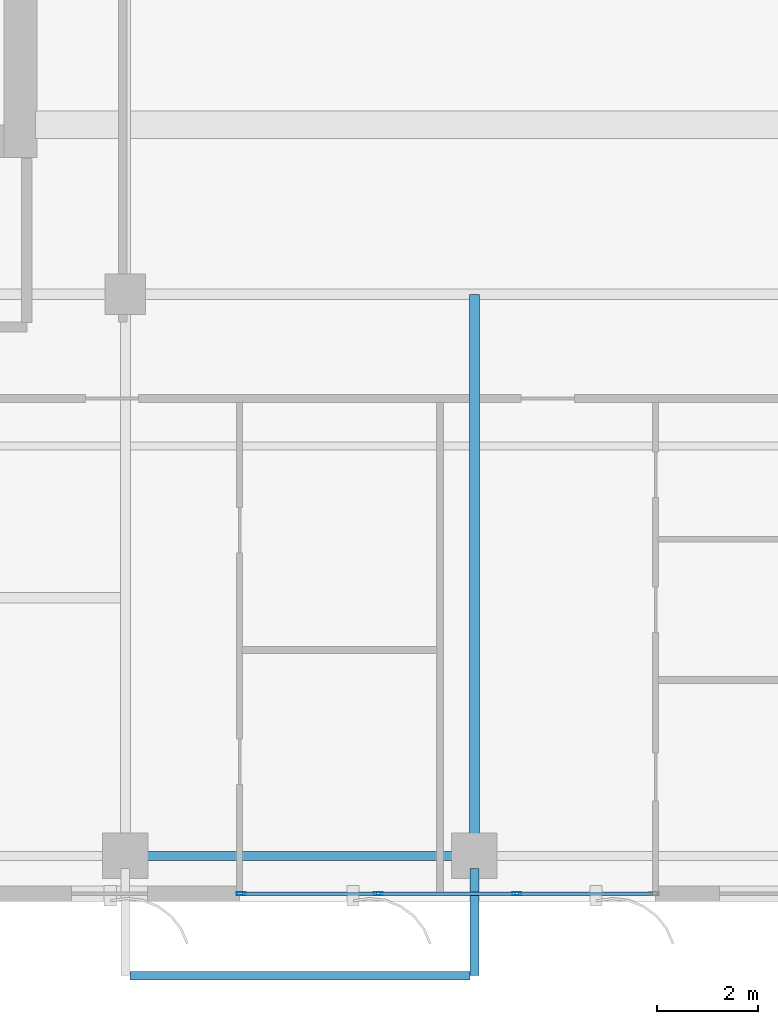
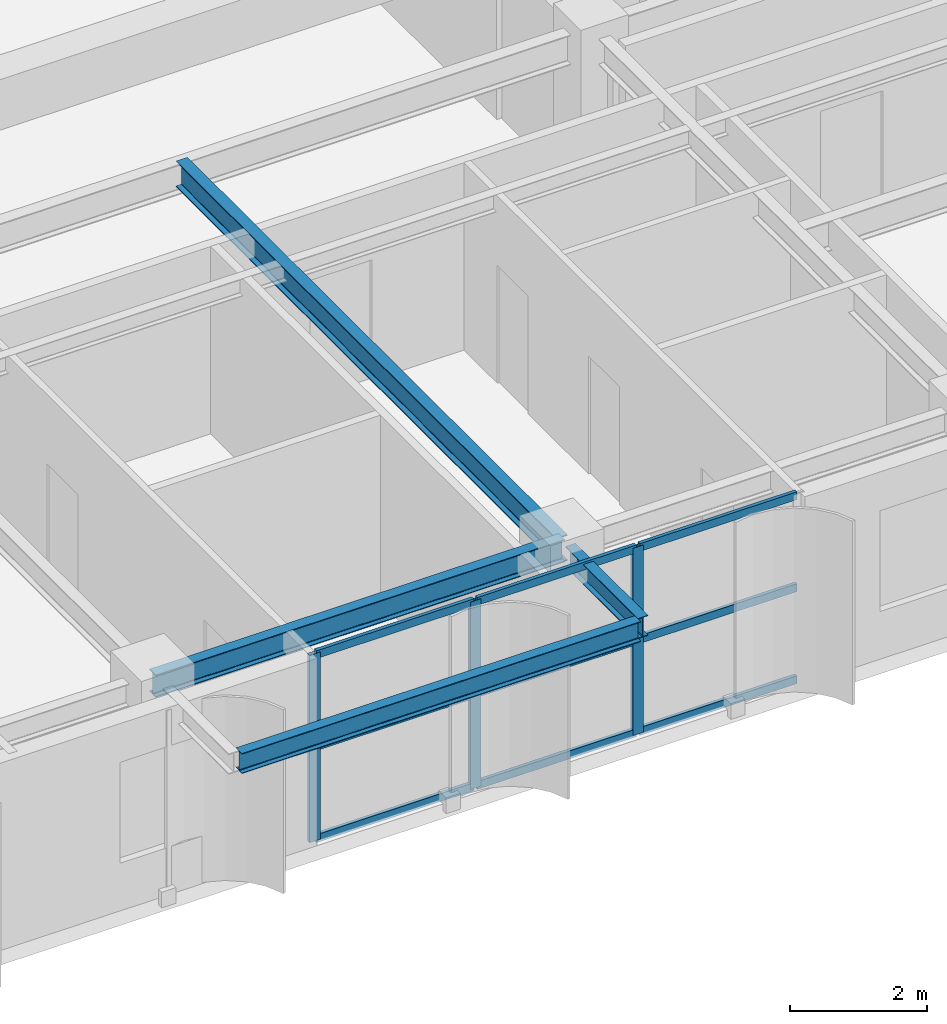
# One storey, part 2 of 21: 12 members, 4 beams, 1 element without a shape of its own.
"""IFC4 building model written with IfcOpenShell, lengths in metres."""

import ifcopenshell
import ifcopenshell.guid

model = None  # the IFC model being written
_history = None  # IfcOwnerHistory: only IFC2X3 demands one
_inside = {}  # id of a spatial element -> (the spatial element, [elements in it])
_under = {}  # id of a project, library or spatial element -> (it, [spatial elements below it])
_declared = {}  # id of a project -> (the project, [libraries it declares])
_typed = {}  # id of a type object -> (the type object, [elements of that type])
_made_of = {}  # id of a material, layer set ... -> (it, [elements and type objects made of it])


def new_model(schema):
    """Start an empty IFC model of exactly this schema.

    Asked for "IFC4X3", IfcOpenShell would pick the latest addendum, in which some entities
    have other attributes; the version numbers below select the first issue.
    IFC2X3 requires an IfcOwnerHistory on every rooted entity: one is made here for all.
    """
    global model, _history
    if schema == "IFC4X3":
        model = ifcopenshell.file(schema_version=(4, 3, 0, 0))
    else:
        model = ifcopenshell.file(schema=schema)
    _inside.clear()
    _under.clear()
    _declared.clear()
    _typed.clear()
    _made_of.clear()
    _history = None
    if model.schema == "IFC2X3":
        org = make("IfcOrganization", Name="unknown")
        user = make(
            "IfcPersonAndOrganization",
            ThePerson=make("IfcPerson", FamilyName="unknown"),
            TheOrganization=org,
        )
        app = make(
            "IfcApplication",
            ApplicationDeveloper=org,
            Version="unknown",
            ApplicationFullName="unknown",
            ApplicationIdentifier="unknown",
        )
        _history = make(
            "IfcOwnerHistory",
            OwningUser=user,
            OwningApplication=app,
            ChangeAction="ADDED",
            CreationDate=0,
        )
    return model


def make(cls, **values):
    """One entity of the class cls with the attributes given. An attribute that is None is left unset."""
    return model.create_entity(
        cls, **{name: value for name, value in values.items() if value is not None}
    )


def rooted(cls, **values):
    """An entity with a GlobalId (a new one), such as an element, a storey or a relation."""
    return make(cls, GlobalId=ifcopenshell.guid.new(), OwnerHistory=_history, **values)


def si_unit(unit_type, name, prefix=None):
    """IfcSIUnit, for example si_unit("LENGTHUNIT", "METRE", prefix="MILLI")."""
    return make("IfcSIUnit", UnitType=unit_type, Prefix=prefix, Name=name)


def assignment(units):
    """IfcUnitAssignment: the units of a project."""
    return None if units is None else make("IfcUnitAssignment", Units=units)


def point(xyz):
    """IfcCartesianPoint."""
    return None if xyz is None else make("IfcCartesianPoint", Coordinates=xyz)


def direction(xyz):
    """IfcDirection."""
    return None if xyz is None else make("IfcDirection", DirectionRatios=xyz)


def frame(location, z_axis=None, x_axis=None):
    """IfcAxis2Placement3D, a coordinate frame: its origin and axes. An axis left out is left unset."""
    return make(
        "IfcAxis2Placement3D",
        Location=point(location),
        Axis=direction(z_axis),
        RefDirection=direction(x_axis),
    )


def frame_2d(location, x_axis=None):
    """IfcAxis2Placement2D, a coordinate frame in the plane: its origin and x axis."""
    return make(
        "IfcAxis2Placement2D", Location=point(location), RefDirection=direction(x_axis)
    )


def origin():
    """The frame at (0, 0, 0) with its axes left unset."""
    return frame((0.0, 0.0, 0.0))


def origin_2d():
    """The frame at (0, 0) in the plane with its x axis left unset."""
    return frame_2d((0.0, 0.0))


def place(relative_to, where):
    """IfcLocalPlacement: puts the frame where relative to a parent placement (None: the world)."""
    return make(
        "IfcLocalPlacement", PlacementRelTo=relative_to, RelativePlacement=where
    )


def context(
    kind, dimensions, precision=None, world=None, true_north=None, identifier=None
):
    """IfcGeometricRepresentationContext, for example the 3D "Model" context."""
    return make(
        "IfcGeometricRepresentationContext",
        ContextIdentifier=identifier,
        ContextType=kind,
        CoordinateSpaceDimension=dimensions,
        Precision=precision,
        WorldCoordinateSystem=world,
        TrueNorth=true_north,
    )


def subcontext(parent, identifier, kind, view, scale=None):
    """IfcGeometricRepresentationSubContext, for example "Body" below "Model"."""
    return make(
        "IfcGeometricRepresentationSubContext",
        ContextIdentifier=identifier,
        ContextType=kind,
        ParentContext=parent,
        TargetScale=scale,
        TargetView=view,
    )


def project(units=None, contexts=None):
    """IfcProject with its units and contexts."""
    return rooted(
        "IfcProject",
        Name="project",
        RepresentationContexts=contexts,
        UnitsInContext=assignment(units),
    )


def spatial(cls, under=None, at=None, **own):
    """A site, building, storey or space (cls), placed at a placement, below another one or the project."""
    s = rooted(cls, ObjectPlacement=at, **own)
    if under is not None:
        _under.setdefault(under.id(), (under, []))[1].append(s)
    return s


def profile(cls, at=None, kind="AREA", **sizes):
    """A parametric profile (cls). Its sizes go by their IFC names, for example OverallWidth=200.0."""
    return make(cls, ProfileType=kind, Position=at, **sizes)


def hollow_rectangle(**sizes):
    """IfcRectangleHollowProfileDef."""
    return profile("IfcRectangleHollowProfileDef", **sizes)


def i_section(**sizes):
    """IfcIShapeProfileDef."""
    return profile("IfcIShapeProfileDef", **sizes)


def extrude(swept, where, along, depth):
    """IfcExtrudedAreaSolid: the profile swept, set in the frame where, extruded along a direction by depth."""
    return make(
        "IfcExtrudedAreaSolid",
        SweptArea=swept,
        Position=where,
        ExtrudedDirection=direction(along),
        Depth=depth,
    )


def shape(context_of_items, identifier, shape_type, items):
    """IfcShapeRepresentation: the items that make up one representation, for example the "Body"."""
    return make(
        "IfcShapeRepresentation",
        ContextOfItems=context_of_items,
        RepresentationIdentifier=identifier,
        RepresentationType=shape_type,
        Items=items,
    )


def source(mapping_origin, context_of_items, identifier, shape_type, items):
    """IfcRepresentationMap: a shape defined once, which mapped items show again and again."""
    return make(
        "IfcRepresentationMap",
        MappingOrigin=mapping_origin,
        MappedRepresentation=shape(context_of_items, identifier, shape_type, items),
    )


def transform(
    local_origin,
    x_axis=None,
    y_axis=None,
    z_axis=None,
    scale=None,
    scale2=None,
    scale3=None,
    uniform=True,
):
    """IfcCartesianTransformationOperator3D, or its non-uniform kind. x_axis, y_axis, z_axis: its Axis1, 2, 3."""
    if uniform:
        return make(
            "IfcCartesianTransformationOperator3D",
            Axis1=direction(x_axis),
            Axis2=direction(y_axis),
            LocalOrigin=point(local_origin),
            Scale=scale,
            Axis3=direction(z_axis),
        )
    return make(
        "IfcCartesianTransformationOperator3DnonUniform",
        Axis1=direction(x_axis),
        Axis2=direction(y_axis),
        LocalOrigin=point(local_origin),
        Scale=scale,
        Axis3=direction(z_axis),
        Scale2=scale2,
        Scale3=scale3,
    )


def mapped(mapping_source, mapping_target):
    """IfcMappedItem: shows the shape of a source again, moved by a transform."""
    return make(
        "IfcMappedItem", MappingSource=mapping_source, MappingTarget=mapping_target
    )


def material(Name=None, Category=None):
    """IfcMaterial."""
    return make("IfcMaterial", Name=Name, Category=Category)


def layer(
    of_material, thickness, ventilated=None, Name=None, Category=None, Priority=None
):
    """IfcMaterialLayer: one layer of a wall or slab, of a material (None: an air gap)."""
    return make(
        "IfcMaterialLayer",
        Material=of_material,
        LayerThickness=thickness,
        IsVentilated=ventilated,
        Name=Name,
        Category=Category,
        Priority=Priority,
    )


def layer_set(layers, Name=None):
    """IfcMaterialLayerSet."""
    return make("IfcMaterialLayerSet", MaterialLayers=layers, LayerSetName=Name)


def material_profile(
    of_material, cross_section, Name=None, Category=None, Priority=None
):
    """IfcMaterialProfile: a cross section and its material."""
    return make(
        "IfcMaterialProfile",
        Name=Name,
        Material=of_material,
        Profile=cross_section,
        Priority=Priority,
        Category=Category,
    )


def profile_set(profiles, Name=None, composite=None):
    """IfcMaterialProfileSet."""
    return make(
        "IfcMaterialProfileSet",
        Name=Name,
        MaterialProfiles=profiles,
        CompositeProfile=composite,
    )


def made_of(thing, what):
    """Note that an element or type object is made of a material, layer set ...; save() writes the relation."""
    if what is not None:
        _made_of.setdefault(what.id(), (what, []))[1].append(thing)
    return thing


def type_object(cls, material=None, **own):
    """A type object (cls), such as IfcWallType, which elements share."""
    return made_of(rooted(cls, **own), material)


def element(
    cls,
    number,
    at=None,
    inside=None,
    cuts=None,
    type_object=None,
    material=None,
    context=None,
    identifier="Body",
    shape_type=None,
    held_by="IfcProductDefinitionShape",
    body=None,
    shapes=None,
    **own,
):
    """One element of the class cls, such as IfcWall. Its Tag is "e" and its number.

    at: its placement. inside: the storey or other place that contains it. cuts: it is an
    opening in that element (IfcRelVoidsElement). A single representation is given by context,
    identifier, shape_type and body (its items); several are given by shapes. held_by: the class
    of the entity that holds the representations. save() writes the other relations.
    """
    e = rooted(cls, Tag="e%d" % number, ObjectPlacement=at, **own)
    if body is not None:
        shapes = [shape(context, identifier, shape_type, body)]
    if shapes is not None:
        e.Representation = make(held_by, Representations=shapes)
    if inside is not None:
        _inside.setdefault(inside.id(), (inside, []))[1].append(e)
    if cuts is not None:
        rooted(
            "IfcRelVoidsElement", RelatingBuildingElement=cuts, RelatedOpeningElement=e
        )
    if type_object is not None:
        _typed.setdefault(type_object.id(), (type_object, []))[1].append(e)
    return made_of(e, material)


def aggregate(whole, parts):
    """IfcRelAggregates: a whole, such as a stair, and the parts it consists of."""
    return rooted("IfcRelAggregates", RelatingObject=whole, RelatedObjects=parts)


def save(model, path):
    """Write the relations noted so far, then the file.

    IfcRelAggregates (storeys below a building ...), IfcRelContainedInSpatialStructure (elements
    in a storey), IfcRelDefinesByType, IfcRelAssociatesMaterial and IfcRelDeclares: one each for
    every whole, place, type object, material and project.
    """
    for whole, parts in _under.values():
        aggregate(whole, parts)
    for where, things in _inside.values():
        rooted(
            "IfcRelContainedInSpatialStructure",
            RelatedElements=things,
            RelatingStructure=where,
        )
    for kind, things in _typed.values():
        rooted("IfcRelDefinesByType", RelatedObjects=things, RelatingType=kind)
    for what, things in _made_of.values():
        rooted("IfcRelAssociatesMaterial", RelatedObjects=things, RelatingMaterial=what)
    for by, libraries in _declared.values():
        rooted("IfcRelDeclares", RelatingContext=by, RelatedDefinitions=libraries)
    model.write(path)


model = new_model("IFC4")

# Units and contexts
model_context = context("Model", 3, precision=1e-05, world=origin(), true_north=direction((0.0, 1.0)))
body_context = subcontext(model_context, "Body", "Model", "MODEL_VIEW")
ifc_project = project(units=[si_unit("LENGTHUNIT", "METRE"), si_unit("AREAUNIT", "SQUARE_METRE"), si_unit("VOLUMEUNIT", "CUBIC_METRE"), si_unit("PLANEANGLEUNIT", "RADIAN"), si_unit("MASSUNIT", "GRAM", prefix="KILO")], contexts=[model_context])

# Site, building, storey
site_placement = place(None, origin())
site = spatial("IfcSite", under=ifc_project, at=site_placement, CompositionType="ELEMENT")
building_placement = place(site_placement, origin())
building = spatial("IfcBuilding", under=site, at=building_placement, Name="Khoralis Quay Care Tower", CompositionType="ELEMENT")
storey_placement = place(building_placement, frame((0.0, 0.0, 159.300048828125)))
storey = spatial("IfcBuildingStorey", under=building, at=storey_placement, Name="L41", CompositionType="ELEMENT", Elevation=159.300048828125)

# Beams
ifc_material_1 = material(Name="Steel S355", Category="steel")
ifc_material_profile_1 = material_profile(ifc_material_1, i_section(OverallWidth=0.179931640625, OverallDepth=0.39990234375, WebThickness=0.008544921875, FlangeThickness=0.013427734375, FilletRadius=0.02099609375, at=origin_2d()), Name="Steel S355")
ifc_profile_set_1 = profile_set([ifc_material_profile_1], Name="Steel S355")
beam_type_1 = type_object("IfcBeamType", Name="BM-IPE400", PredefinedType="SPANDREL", material=ifc_profile_set_1)
shared_shape_1 = source(origin(), body_context, "Body", "SweptSolid", [
    extrude(i_section(OverallWidth=0.179931640625, OverallDepth=0.39990234375, WebThickness=0.008544921875, FlangeThickness=0.013427734375, FilletRadius=0.02099609375, at=origin_2d()), origin(), (0.0, 0.0, 1.0), 6.89990234375),
])
beam_1_placement = place(storey_placement, frame((17.10009765625, 0.89990234375, 3.139892578125), z_axis=(1.0, 0.0, 0.0), x_axis=(0.0, 1.0, 0.0)))
element("IfcBeam", 1, at=beam_1_placement, inside=storey, type_object=beam_type_1, Name="BM-TSP-L41-02", PredefinedType="SPANDREL", context=body_context, shape_type="MappedRepresentation", body=[
    mapped(shared_shape_1, transform((0.0, 0.0, 0.0), scale=1.0)),
])
ifc_material_profile_2 = material_profile(ifc_material_1, i_section(OverallWidth=0.19189453125, OverallDepth=0.462890625, WebThickness=0.010498046875, FlangeThickness=0.017578125, FilletRadius=0.014892578125, at=origin_2d()), Name="Steel S355")
ifc_profile_set_2 = profile_set([ifc_material_profile_2], Name="Steel S355")
beam_type_2 = type_object("IfcBeamType", Name="BM-W460X89", PredefinedType="BEAM", material=ifc_profile_set_2)
shared_shape_2 = source(origin(), body_context, "Body", "SweptSolid", [
    extrude(i_section(OverallWidth=0.19189453125, OverallDepth=0.462890625, WebThickness=0.010498046875, FlangeThickness=0.017578125, FilletRadius=0.014892578125, at=origin_2d()), origin(), (0.0, 0.0, 1.0), 11.10009765625),
])
beam_2_placement = place(storey_placement, frame((24.0, 0.89990234375, 3.1083984375), z_axis=(0.0, 1.0, 0.0), x_axis=(-1.0, 0.0, 0.0)))
element("IfcBeam", 2, at=beam_2_placement, inside=storey, type_object=beam_type_2, Name="BM-TGYS-L41-240", PredefinedType="BEAM", context=body_context, shape_type="MappedRepresentation", body=[
    mapped(shared_shape_2, transform((0.0, 0.0, 0.0), scale=1.0)),
])
ifc_material_profile_3 = material_profile(ifc_material_1, i_section(OverallWidth=0.169921875, OverallDepth=0.360107421875, WebThickness=0.008056640625, FlangeThickness=0.0126953125, FilletRadius=0.01806640625, at=origin_2d()), Name="Steel S355")
ifc_profile_set_3 = profile_set([ifc_material_profile_3], Name="Steel S355")
beam_type_3 = type_object("IfcBeamType", Name="BM-IPE360", PredefinedType="SPANDREL", material=ifc_profile_set_3)
shared_shape_3 = source(origin(), body_context, "Body", "SweptSolid", [
    extrude(i_section(OverallWidth=0.169921875, OverallDepth=0.360107421875, WebThickness=0.008056640625, FlangeThickness=0.0126953125, FilletRadius=0.01806640625, at=origin_2d()), origin(), (0.0, 0.0, 1.0), 2.119873046875),
])
beam_3_placement = place(storey_placement, frame((24.0, 0.64990234375, 3.1640625), z_axis=(0.0, -1.0, 0.0), x_axis=(1.0, 0.0, 0.0)))
element("IfcBeam", 3, at=beam_3_placement, inside=storey, type_object=beam_type_3, Name="L42 Balcony Cantilever Outrigger Beam 2", PredefinedType="SPANDREL", context=body_context, shape_type="MappedRepresentation", body=[
    mapped(shared_shape_3, transform((0.0, 0.0, 0.0), scale=1.0)),
])
shared_shape_4 = source(origin(), body_context, "Body", "SweptSolid", [
    extrude(i_section(OverallWidth=0.169921875, OverallDepth=0.360107421875, WebThickness=0.008056640625, FlangeThickness=0.0126953125, FilletRadius=0.01806640625, at=origin_2d()), origin(), (0.0, 0.0, 1.0), 6.72412109375),
])
beam_4_placement = place(storey_placement, frame((17.18798828125, -1.469970703125, 3.1640625), z_axis=(1.0, 0.0, 0.0), x_axis=(0.0, 1.0, 0.0)))
element("IfcBeam", 4, at=beam_4_placement, inside=storey, type_object=beam_type_3, Name="L42 Balcony Edge Spandrel Beam P1E0", PredefinedType="SPANDREL", context=body_context, shape_type="MappedRepresentation", body=[
    mapped(shared_shape_4, transform((0.0, 0.0, 0.0), scale=1.0)),
])

# Curtain wall, members
ifc_material_2 = material(Name="Pale anodised aluminium", Category="aluminium")
ifc_layer = layer(ifc_material_2, 0.159912109375)
ifc_layer_set = layer_set([ifc_layer], Name="Pale anodised aluminium")
curtain_wall_type = type_object("IfcCurtainWallType", Name="CW-SYS-Z3", PredefinedType="NOTDEFINED", material=ifc_layer_set)
curtain_wall_placement = place(storey_placement, origin())
curtain_wall = element("IfcCurtainWall", 5, at=curtain_wall_placement, inside=storey, type_object=curtain_wall_type, Name="L41 Unitised Curtain Wall CW-L41-P1-E0", PredefinedType="NOTDEFINED")
ifc_material_profile_4 = material_profile(ifc_material_2, hollow_rectangle(XDim=0.06494140625, YDim=0.179931640625, WallThickness=0.00390625, at=origin_2d()), Name="Pale anodised aluminium")
ifc_profile_set_4 = profile_set([ifc_material_profile_4], Name="Pale anodised aluminium")
member_type_1 = type_object("IfcMemberType", Name="CW-MUL-180", PredefinedType="MULLION", material=ifc_profile_set_4)
shared_shape_5 = source(origin(), body_context, "Body", "SweptSolid", [
    extrude(hollow_rectangle(XDim=0.06494140625, YDim=0.179931640625, WallThickness=0.00390625, at=origin_2d()), origin(), (0.0, 0.0, 1.0), 3.33984375),
])
member_1_placement = place(storey_placement, frame((19.385986328125, 0.14990234375, 0.0), z_axis=(0.0, 0.0, 1.0), x_axis=(0.0, 1.0, 0.0)))
member_1 = element("IfcMember", 6, at=member_1_placement, type_object=member_type_1, Name="CW3 mullion 1", PredefinedType="MULLION", context=body_context, shape_type="MappedRepresentation", body=[
    mapped(shared_shape_5, transform((0.0, 0.0, 0.0), scale=1.0)),
])
member_2_placement = place(storey_placement, frame((22.096923828125, 0.14990234375, 0.0), z_axis=(0.0, 0.0, 1.0), x_axis=(0.0, 1.0, 0.0)))
member_2 = element("IfcMember", 7, at=member_2_placement, type_object=member_type_1, Name="CW3 mullion 2", PredefinedType="MULLION", context=body_context, shape_type="MappedRepresentation", body=[
    mapped(shared_shape_5, transform((0.0, 0.0, 0.0), scale=1.0)),
])
member_3_placement = place(storey_placement, frame((24.837890625, 0.14990234375, 0.0), z_axis=(0.0, 0.0, 1.0), x_axis=(0.0, 1.0, 0.0)))
member_3 = element("IfcMember", 8, at=member_3_placement, type_object=member_type_1, Name="CW3 mullion 3", PredefinedType="MULLION", context=body_context, shape_type="MappedRepresentation", body=[
    mapped(shared_shape_5, transform((0.0, 0.0, 0.0), scale=1.0)),
])
ifc_material_profile_5 = material_profile(ifc_material_2, hollow_rectangle(XDim=0.06005859375, YDim=0.139892578125, WallThickness=0.00390625, at=origin_2d()), Name="Pale anodised aluminium")
ifc_profile_set_5 = profile_set([ifc_material_profile_5], Name="Pale anodised aluminium")
member_type_2 = type_object("IfcMemberType", Name="CW-TRN-140", PredefinedType="USERDEFINED", material=ifc_profile_set_5)
shared_shape_6 = source(origin(), body_context, "Body", "SweptSolid", [
    extrude(hollow_rectangle(XDim=0.06005859375, YDim=0.139892578125, WallThickness=0.00390625, at=origin_2d()), origin(), (0.0, 0.0, 1.0), 2.65087890625),
])
member_4_placement = place(storey_placement, frame((19.416015625, 0.14990234375, 0.030029296875), z_axis=(1.0, 0.0, 0.0), x_axis=(0.0, 1.0, 0.0)))
member_4 = element("IfcMember", 9, at=member_4_placement, type_object=member_type_2, Name="CW3 transom 1.1", ObjectType="TRANSOM", PredefinedType="USERDEFINED", context=body_context, shape_type="MappedRepresentation", body=[
    mapped(shared_shape_6, transform((0.0, 0.0, 0.0), scale=1.0)),
])
member_5_placement = place(storey_placement, frame((19.416015625, 0.14990234375, 1.669921875), z_axis=(1.0, 0.0, 0.0), x_axis=(0.0, 1.0, 0.0)))
member_5 = element("IfcMember", 10, at=member_5_placement, type_object=member_type_2, Name="CW3 transom 1.2", ObjectType="TRANSOM", PredefinedType="USERDEFINED", context=body_context, shape_type="MappedRepresentation", body=[
    mapped(shared_shape_6, transform((0.0, 0.0, 0.0), scale=1.0)),
])
member_6_placement = place(storey_placement, frame((19.416015625, 0.14990234375, 3.31005859375), z_axis=(1.0, 0.0, 0.0), x_axis=(0.0, 1.0, 0.0)))
member_6 = element("IfcMember", 11, at=member_6_placement, type_object=member_type_2, Name="CW3 transom 1.3", ObjectType="TRANSOM", PredefinedType="USERDEFINED", context=body_context, shape_type="MappedRepresentation", body=[
    mapped(shared_shape_6, transform((0.0, 0.0, 0.0), scale=1.0)),
])
shared_shape_7 = source(origin(), body_context, "Body", "SweptSolid", [
    extrude(hollow_rectangle(XDim=0.06005859375, YDim=0.139892578125, WallThickness=0.00390625, at=origin_2d()), origin(), (0.0, 0.0, 1.0), 2.68115234375),
])
member_7_placement = place(storey_placement, frame((22.126953125, 0.14990234375, 0.030029296875), z_axis=(1.0, 0.0, 0.0), x_axis=(0.0, 1.0, 0.0)))
member_7 = element("IfcMember", 12, at=member_7_placement, type_object=member_type_2, Name="CW3 transom 2.1", ObjectType="TRANSOM", PredefinedType="USERDEFINED", context=body_context, shape_type="MappedRepresentation", body=[
    mapped(shared_shape_7, transform((0.0, 0.0, 0.0), scale=1.0)),
])
member_8_placement = place(storey_placement, frame((22.126953125, 0.14990234375, 1.669921875), z_axis=(1.0, 0.0, 0.0), x_axis=(0.0, 1.0, 0.0)))
member_8 = element("IfcMember", 13, at=member_8_placement, type_object=member_type_2, Name="CW3 transom 2.2", ObjectType="TRANSOM", PredefinedType="USERDEFINED", context=body_context, shape_type="MappedRepresentation", body=[
    mapped(shared_shape_7, transform((0.0, 0.0, 0.0), scale=1.0)),
])
member_9_placement = place(storey_placement, frame((22.126953125, 0.14990234375, 3.31005859375), z_axis=(1.0, 0.0, 0.0), x_axis=(0.0, 1.0, 0.0)))
member_9 = element("IfcMember", 14, at=member_9_placement, type_object=member_type_2, Name="CW3 transom 2.3", ObjectType="TRANSOM", PredefinedType="USERDEFINED", context=body_context, shape_type="MappedRepresentation", body=[
    mapped(shared_shape_7, transform((0.0, 0.0, 0.0), scale=1.0)),
])
shared_shape_8 = source(origin(), body_context, "Body", "SweptSolid", [
    extrude(hollow_rectangle(XDim=0.06005859375, YDim=0.139892578125, WallThickness=0.00390625, at=origin_2d()), origin(), (0.0, 0.0, 1.0), 2.651123046875),
])
member_10_placement = place(storey_placement, frame((24.867919921875, 0.14990234375, 0.030029296875), z_axis=(1.0, 0.0, 0.0), x_axis=(0.0, 1.0, 0.0)))
member_10 = element("IfcMember", 15, at=member_10_placement, type_object=member_type_2, Name="CW3 transom 3.1", ObjectType="TRANSOM", PredefinedType="USERDEFINED", context=body_context, shape_type="MappedRepresentation", body=[
    mapped(shared_shape_8, transform((0.0, 0.0, 0.0), scale=1.0)),
])
member_11_placement = place(storey_placement, frame((24.867919921875, 0.14990234375, 1.669921875), z_axis=(1.0, 0.0, 0.0), x_axis=(0.0, 1.0, 0.0)))
member_11 = element("IfcMember", 16, at=member_11_placement, type_object=member_type_2, Name="CW3 transom 3.2", ObjectType="TRANSOM", PredefinedType="USERDEFINED", context=body_context, shape_type="MappedRepresentation", body=[
    mapped(shared_shape_8, transform((0.0, 0.0, 0.0), scale=1.0)),
])
member_12_placement = place(storey_placement, frame((24.867919921875, 0.14990234375, 3.31005859375), z_axis=(1.0, 0.0, 0.0), x_axis=(0.0, 1.0, 0.0)))
member_12 = element("IfcMember", 17, at=member_12_placement, type_object=member_type_2, Name="CW3 transom 3.3", ObjectType="TRANSOM", PredefinedType="USERDEFINED", context=body_context, shape_type="MappedRepresentation", body=[
    mapped(shared_shape_8, transform((0.0, 0.0, 0.0), scale=1.0)),
])
aggregate(curtain_wall, [member_1, member_2, member_3, member_4, member_5, member_6, member_7, member_8, member_9, member_10, member_11, member_12])

save(model, "model.ifc")
